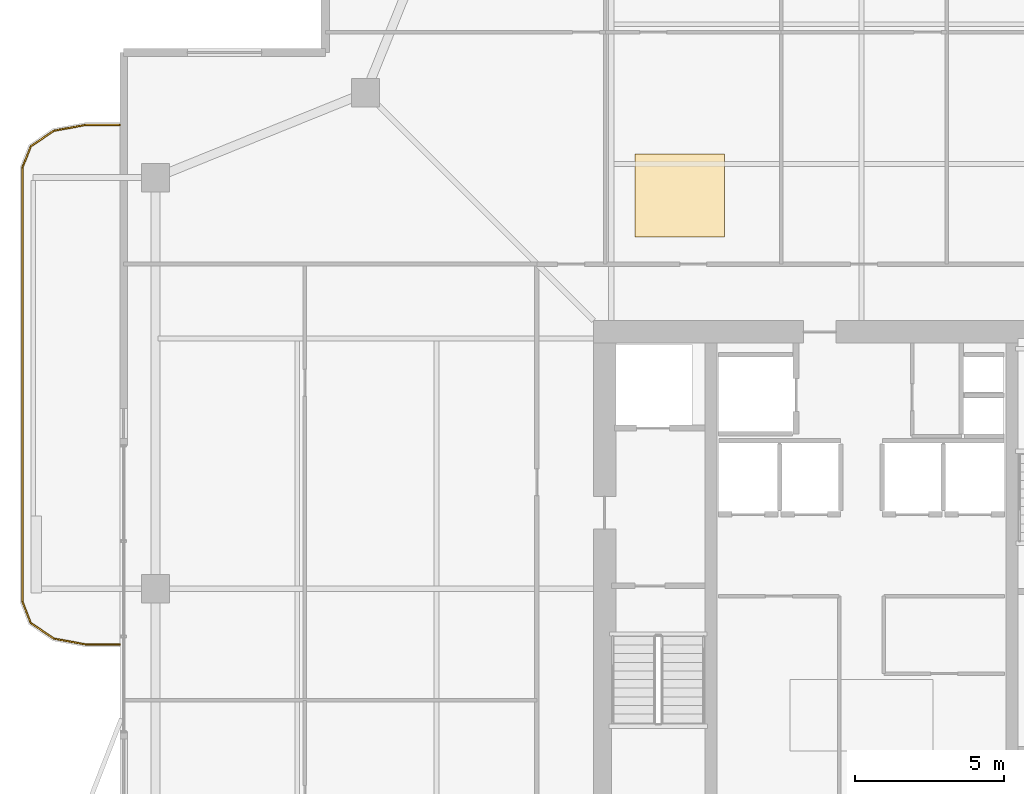
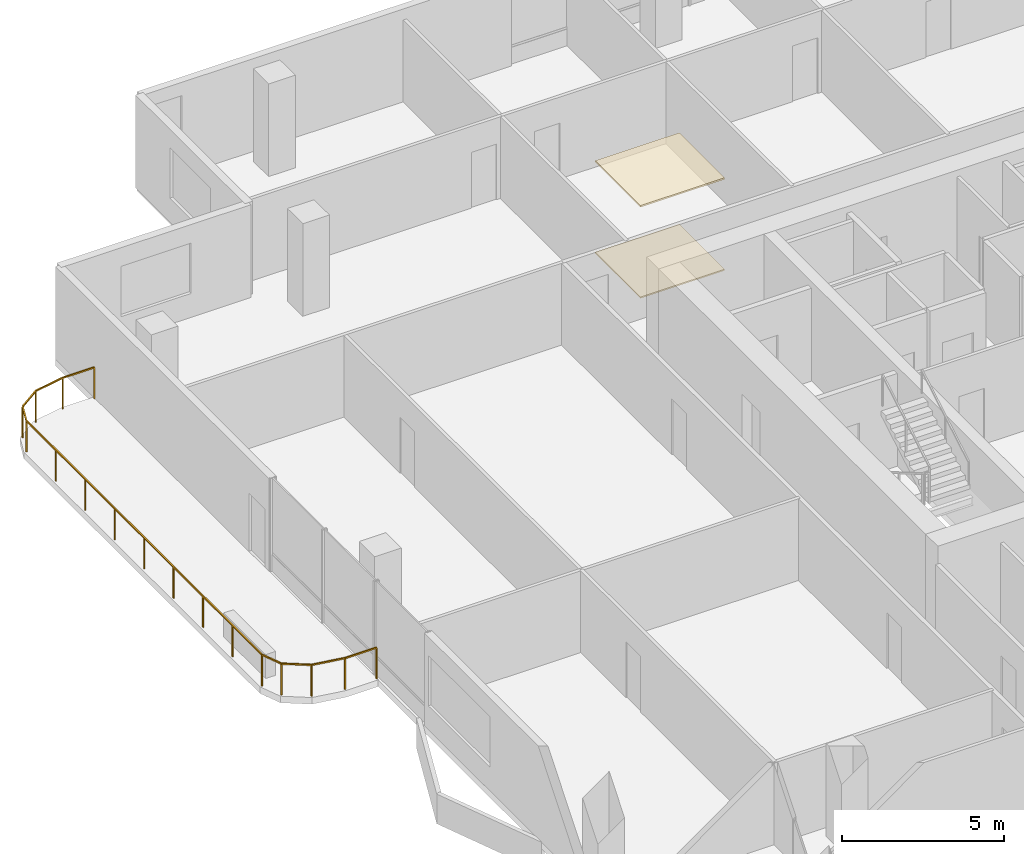
# One storey, part 24 of 25: 2 coverings, 1 railing.
"""IFC4 building model written with IfcOpenShell, lengths in metres."""

from ifc_helpers import new_model, si_unit, direction, frame, origin, origin_2d, place, context, subcontext, project, spatial, polyline, rectangle, outline, extrude, material, layer, layer_set, type_object, element, save


model = new_model("IFC4")

# Units and contexts
model_context = context("Model", 3, precision=1e-05, world=origin(), true_north=direction((0.0, 1.0)))
body_context = subcontext(model_context, "Body", "Model", "MODEL_VIEW")
ifc_project = project(units=[si_unit("LENGTHUNIT", "METRE"), si_unit("AREAUNIT", "SQUARE_METRE"), si_unit("VOLUMEUNIT", "CUBIC_METRE"), si_unit("PLANEANGLEUNIT", "RADIAN"), si_unit("MASSUNIT", "GRAM", prefix="KILO")], contexts=[model_context])

# Site, building, storey
site_placement = place(None, origin())
site = spatial("IfcSite", under=ifc_project, at=site_placement, CompositionType="ELEMENT")
building_placement = place(site_placement, origin())
building = spatial("IfcBuilding", under=site, at=building_placement, Name="Belovzor Exchange Tower", CompositionType="ELEMENT")
storey_placement = place(building_placement, frame((0.0, 0.0, 254.10009765625)))
storey = spatial("IfcBuildingStorey", under=building, at=storey_placement, Name="L63", CompositionType="ELEMENT", Elevation=254.10009765625)

# Railing
ifc_material_1 = material(Name="Stainless Steel and Laminated Safety Glass", Category="steel")
railing_type = type_object("IfcRailingType", Name="Laminated Glass & Stainless Steel Balcony Balustrade 1200", PredefinedType="BALUSTRADE", material=ifc_material_1)
railing_placement = place(storey_placement, frame((3.889892578125, 44.3701171875, 0.0)))
element("IfcRailing", 1, at=railing_placement, inside=storey, type_object=railing_type, Name="GR-1 Balcony Balustrade L63 West", PredefinedType="BALUSTRADE", context=body_context, shape_type="SweptSolid", body=[
    extrude(rectangle(XDim=0.048095703125, YDim=0.048095703125, at=origin_2d()), frame((0.0, 0.0, 1.17578125), z_axis=(-1.0, 0.0, 0.0), x_axis=(0.0, -1.0, 0.0)), (0.0, 0.0, 1.0), 1.1328125),
    extrude(rectangle(XDim=0.048095703125, YDim=0.048095703125, at=origin_2d()), frame((-1.1328125, 0.0, 1.17578125), z_axis=(-0.983651385113, -0.180083182347, 0.0), x_axis=(0.180083182347, -0.983651385113, 0.0)), (0.0, 0.0, 1.0), 1.093994140625),
    extrude(rectangle(XDim=0.048095703125, YDim=0.048095703125, at=origin_2d()), frame((-2.208984375, -0.197021484375, 1.17578125), z_axis=(-0.826493025367, -0.56294695933, 0.0), x_axis=(0.56294695933, -0.826493025367, 0.0)), (0.0, 0.0, 1.0), 0.932861328125),
    extrude(rectangle(XDim=0.048095703125, YDim=0.048095703125, at=origin_2d()), frame((-2.97998046875, -0.72216796875, 1.17578125), z_axis=(-0.365612923861, -0.930766990125, 0.0), x_axis=(0.930766990125, -0.365612923861, 0.0)), (0.0, 0.0, 1.0), 0.765869140625),
    extrude(rectangle(XDim=0.048095703125, YDim=0.048095703125, at=origin_2d()), frame((-3.260009765625, -1.43505859375, 1.17578125), z_axis=(0.0, -1.0, 0.0), x_axis=(1.0, 0.0, 0.0)), (0.0, 0.0, 1.0), 14.570068359375),
    extrude(rectangle(XDim=0.048095703125, YDim=0.048095703125, at=origin_2d()), frame((-3.260009765625, -16.005126953125, 1.17578125), z_axis=(0.365612923861, -0.930766990125, 0.0), x_axis=(0.930766990125, 0.365612923861, 0.0)), (0.0, 0.0, 1.0), 0.765869140625),
    extrude(rectangle(XDim=0.048095703125, YDim=0.048095703125, at=origin_2d()), frame((-2.97998046875, -16.718017578125, 1.17578125), z_axis=(0.826493025367, -0.56294695933, 0.0), x_axis=(0.56294695933, 0.826493025367, 0.0)), (0.0, 0.0, 1.0), 0.932861328125),
    extrude(rectangle(XDim=0.048095703125, YDim=0.048095703125, at=origin_2d()), frame((-2.208984375, -17.2431640625, 1.17578125), z_axis=(0.983651385113, -0.180083182347, 0.0), x_axis=(0.180083182347, 0.983651385113, 0.0)), (0.0, 0.0, 1.0), 1.093994140625),
    extrude(rectangle(XDim=0.048095703125, YDim=0.048095703125, at=origin_2d()), frame((-1.1328125, -17.440185546875, 1.17578125), z_axis=(1.0, 0.0, 0.0), x_axis=(0.0, 1.0, 0.0)), (0.0, 0.0, 1.0), 1.1328125),
    extrude(rectangle(XDim=0.0419921875, YDim=0.0419921875, at=origin_2d()), origin(), (0.0, 0.0, 1.0), 1.15185546875),
    extrude(rectangle(XDim=0.0419921875, YDim=0.0419921875, at=origin_2d()), frame((-1.1328125, 0.0, 0.0)), (0.0, 0.0, 1.0), 1.15185546875),
    extrude(rectangle(XDim=0.0419921875, YDim=0.0419921875, at=origin_2d()), frame((-2.208984375, -0.197021484375, 0.0)), (0.0, 0.0, 1.0), 1.15185546875),
    extrude(rectangle(XDim=0.0419921875, YDim=0.0419921875, at=origin_2d()), frame((-2.97998046875, -0.72216796875, 0.0)), (0.0, 0.0, 1.0), 1.15185546875),
    extrude(rectangle(XDim=0.0419921875, YDim=0.0419921875, at=origin_2d()), frame((-3.260009765625, -1.43505859375, 0.0)), (0.0, 0.0, 1.0), 1.15185546875),
    extrude(rectangle(XDim=0.0419921875, YDim=0.0419921875, at=origin_2d()), frame((-3.260009765625, -3.25634765625, 0.0)), (0.0, 0.0, 1.0), 1.15185546875),
    extrude(rectangle(XDim=0.0419921875, YDim=0.0419921875, at=origin_2d()), frame((-3.260009765625, -5.07763671875, 0.0)), (0.0, 0.0, 1.0), 1.15185546875),
    extrude(rectangle(XDim=0.0419921875, YDim=0.0419921875, at=origin_2d()), frame((-3.260009765625, -6.89892578125, 0.0)), (0.0, 0.0, 1.0), 1.15185546875),
    extrude(rectangle(XDim=0.0419921875, YDim=0.0419921875, at=origin_2d()), frame((-3.260009765625, -8.72021484375, 0.0)), (0.0, 0.0, 1.0), 1.15185546875),
    extrude(rectangle(XDim=0.0419921875, YDim=0.0419921875, at=origin_2d()), frame((-3.260009765625, -10.541259765625, 0.0)), (0.0, 0.0, 1.0), 1.15185546875),
    extrude(rectangle(XDim=0.0419921875, YDim=0.0419921875, at=origin_2d()), frame((-3.260009765625, -12.362548828125, 0.0)), (0.0, 0.0, 1.0), 1.15185546875),
    extrude(rectangle(XDim=0.0419921875, YDim=0.0419921875, at=origin_2d()), frame((-3.260009765625, -14.183837890625, 0.0)), (0.0, 0.0, 1.0), 1.15185546875),
    extrude(rectangle(XDim=0.0419921875, YDim=0.0419921875, at=origin_2d()), frame((-3.260009765625, -16.005126953125, 0.0)), (0.0, 0.0, 1.0), 1.15185546875),
    extrude(rectangle(XDim=0.0419921875, YDim=0.0419921875, at=origin_2d()), frame((-2.97998046875, -16.718017578125, 0.0)), (0.0, 0.0, 1.0), 1.15185546875),
    extrude(rectangle(XDim=0.0419921875, YDim=0.0419921875, at=origin_2d()), frame((-2.208984375, -17.2431640625, 0.0)), (0.0, 0.0, 1.0), 1.15185546875),
    extrude(rectangle(XDim=0.0419921875, YDim=0.0419921875, at=origin_2d()), frame((-1.1328125, -17.440185546875, 0.0)), (0.0, 0.0, 1.0), 1.15185546875),
    extrude(rectangle(XDim=0.0419921875, YDim=0.0419921875, at=origin_2d()), frame((0.0, -17.440185546875, 0.0)), (0.0, 0.0, 1.0), 1.15185546875),
])

# Coverings
ifc_material_2 = material(Name="Perforated Powder-Coated Aluminium", Category="aluminium")
ifc_layer_1 = layer(ifc_material_2, 0.06005859375)
ifc_layer_set_1 = layer_set([ifc_layer_1], Name="Perforated Powder-Coated Aluminium")
covering_type_1 = type_object("IfcCoveringType", Name="Perforated Acoustic Metal Tile Suspended Ceiling 60", PredefinedType="CEILING", material=ifc_layer_set_1)
covering_1_placement = place(storey_placement, frame((0.0, 0.0, 3.43994140625)))
element("IfcCovering", 2, at=covering_1_placement, inside=storey, type_object=covering_type_1, Name="CLG-AC60 Suspended Ceiling CLG-L63-Z3", PredefinedType="CEILING", context=body_context, shape_type="SweptSolid", body=[
    extrude(outline(polyline([(21.199951171875, 40.60009765625), (24.199951171875, 40.60009765625), (24.199951171875, 43.39990234375), (21.199951171875, 43.39990234375), (21.199951171875, 40.60009765625)])), origin(), (0.0, 0.0, 1.0), 0.06005859375),
])
ifc_material_3 = material(Name="Polished Natural Granite Tile", Category="masonry")
ifc_layer_2 = layer(ifc_material_3, 0.050048828125)
ifc_layer_set_2 = layer_set([ifc_layer_2], Name="Polished Natural Granite Tile")
covering_type_2 = type_object("IfcCoveringType", Name="Polished Karelian Granite & Raised Access Floor Finish 50", PredefinedType="FLOORING", material=ifc_layer_set_2)
covering_2_placement = place(storey_placement, origin())
element("IfcCovering", 3, at=covering_2_placement, inside=storey, type_object=covering_type_2, Name="FLR-GR50 Floor Finish FLR-L63-Z3", PredefinedType="FLOORING", context=body_context, shape_type="SweptSolid", body=[
    extrude(outline(polyline([(21.199951171875, 40.60009765625), (24.199951171875, 40.60009765625), (24.199951171875, 43.39990234375), (21.199951171875, 43.39990234375), (21.199951171875, 40.60009765625)])), origin(), (0.0, 0.0, 1.0), 0.0498046875),
])

save(model, "model.ifc")
